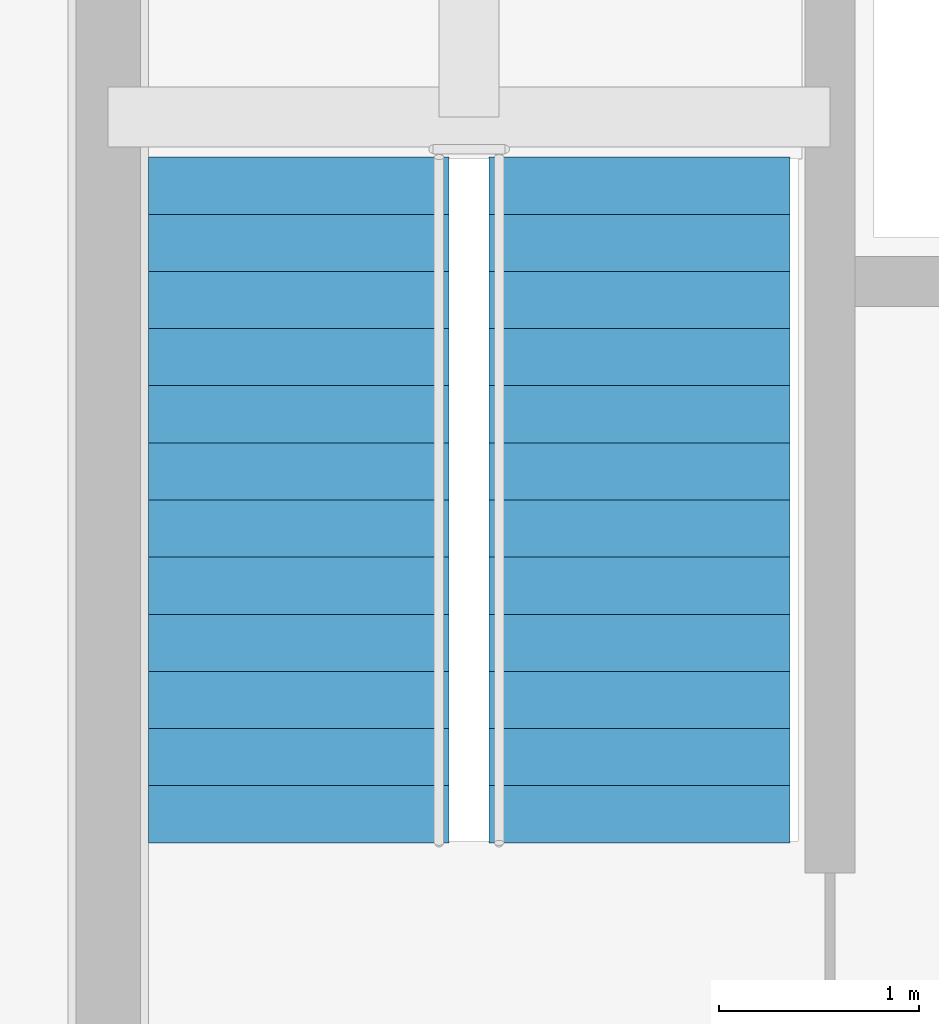
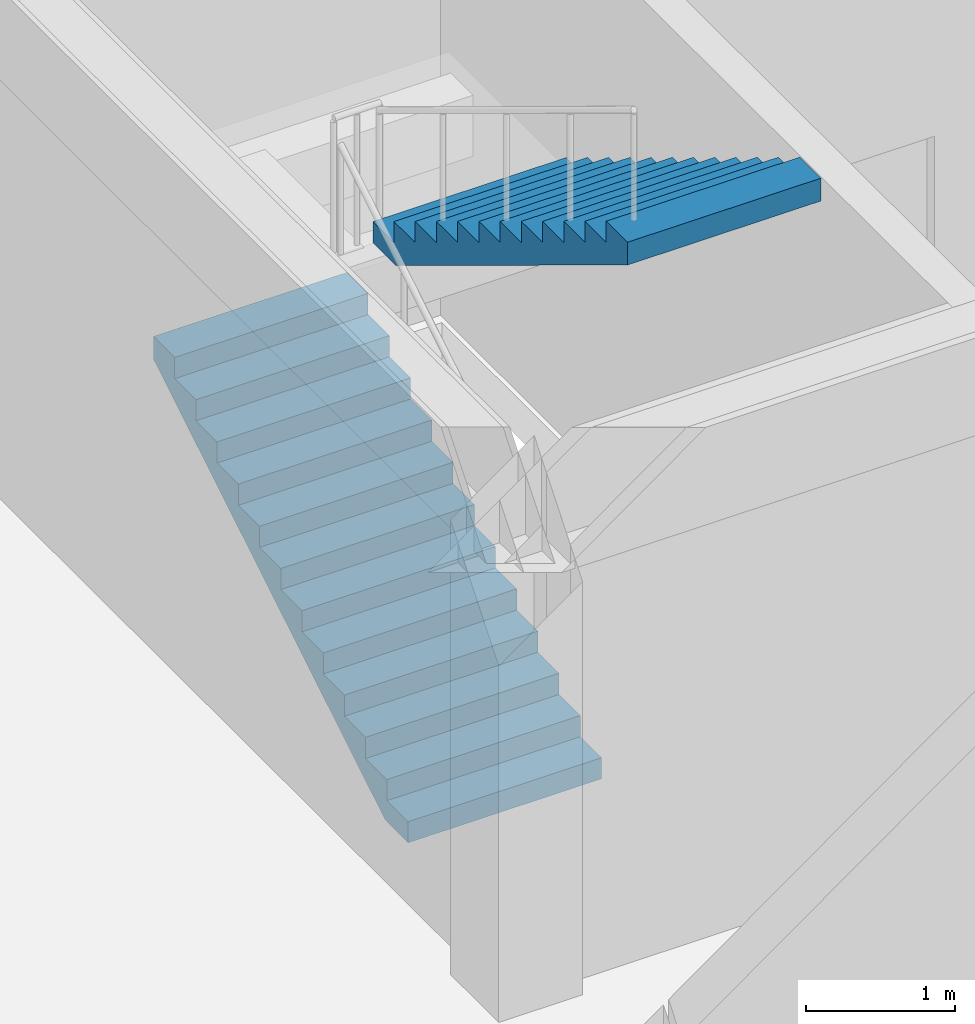
# One storey, part 123 of 138: 2 stair flights, 1 element without a shape of its own.
"""IFC4 building model written with IfcOpenShell, lengths in metres."""

from ifc_helpers import new_model, si_unit, direction, frame, origin, place, context, subcontext, project, spatial, polyline, outline, extrude, material, type_object, element, aggregate, save


model = new_model("IFC4")

# Units and contexts
model_context = context("Model", 3, precision=1e-05, world=origin(), true_north=direction((0.0, 1.0)))
body_context = subcontext(model_context, "Body", "Model", "MODEL_VIEW")
ifc_project = project(units=[si_unit("LENGTHUNIT", "METRE"), si_unit("AREAUNIT", "SQUARE_METRE"), si_unit("VOLUMEUNIT", "CUBIC_METRE"), si_unit("PLANEANGLEUNIT", "RADIAN"), si_unit("MASSUNIT", "GRAM", prefix="KILO"), si_unit("THERMODYNAMICTEMPERATUREUNIT", "KELVIN"), si_unit("POWERUNIT", "WATT")], contexts=[model_context])

# Site, building, storey
site_placement = place(None, origin())
site = spatial("IfcSite", under=ifc_project, at=site_placement, CompositionType="ELEMENT")
building_placement = place(site_placement, origin())
building = spatial("IfcBuilding", under=site, at=building_placement, Name="Tavuni Mirador Residences", CompositionType="ELEMENT")
storey_placement = place(building_placement, origin())
storey = spatial("IfcBuildingStorey", under=building, at=storey_placement, Name="L00", CompositionType="ELEMENT", Elevation=0.0)

# Stair, stair flights
ifc_material = material(Name="Precast concrete C40/50", Category="concrete")
stair_type = type_object("IfcStairType", Name="STT-L00", PredefinedType="HALF_TURN_STAIR", material=ifc_material)
stair_placement = place(storey_placement, origin())
stair = element("IfcStair", 1, at=stair_placement, inside=storey, type_object=stair_type, Name="Protected exit stair ST6 (L00)", PredefinedType="HALF_TURN_STAIR")
stair_flight_type = type_object("IfcStairFlightType", Name="SFT-1500", PredefinedType="STRAIGHT", material=ifc_material)
stair_flight_1_placement = place(storey_placement, frame((40.550048828125, 160.199951171875, 0.0), z_axis=(0.0, 0.0, 1.0), x_axis=(0.0, 1.0, 0.0)))
stair_flight_1 = element("IfcStairFlight", 2, at=stair_flight_1_placement, type_object=stair_flight_type, Name="ST6 flight 1", NumberOfRisers=13, NumberOfTreads=12, PredefinedType="STRAIGHT", RiserHeight=0.173076923, TreadLength=0.285, context=body_context, shape_type="SweptSolid", body=[
    extrude(outline(polyline([(0.0, 0.0), (0.0, 0.173095703125), (0.284912109375, 0.173095703125), (0.284912109375, 0.34619140625), (0.570068359375, 0.34619140625), (0.570068359375, 0.519287109375), (0.85498046875, 0.519287109375), (0.85498046875, 0.6923828125), (1.139892578125, 0.6923828125), (1.139892578125, 0.865478515625), (1.425048828125, 0.865478515625), (1.425048828125, 1.03857421875), (1.7099609375, 1.03857421875), (1.7099609375, 1.21142578125), (1.9951171875, 1.21142578125), (1.9951171875, 1.384521484375), (2.280029296875, 1.384521484375), (2.280029296875, 1.5576171875), (2.56494140625, 1.5576171875), (2.56494140625, 1.730712890625), (2.85009765625, 1.730712890625), (2.85009765625, 1.90380859375), (3.135009765625, 1.90380859375), (3.135009765625, 2.076904296875), (3.419921875, 2.076904296875), (3.419921875, 2.25), (3.419921875, 1.889892578125), (0.30810546875, 0.0), (0.0, 0.0)])), frame((0.0, 0.75, 0.0), z_axis=(0.0, -1.0, 0.0), x_axis=(1.0, 0.0, 0.0)), (0.0, 0.0, 1.0), 1.5),
])
stair_flight_2_placement = place(storey_placement, frame((42.25, 163.6201171875, 2.25), z_axis=(0.0, 0.0, 1.0), x_axis=(0.0, -1.0, 0.0)))
stair_flight_2 = element("IfcStairFlight", 3, at=stair_flight_2_placement, type_object=stair_flight_type, Name="ST6 flight 2", NumberOfRisers=13, NumberOfTreads=12, PredefinedType="STRAIGHT", RiserHeight=0.173076923, TreadLength=0.285, context=body_context, shape_type="SweptSolid", body=[
    extrude(outline(polyline([(0.0, 0.0), (0.0, 0.173095703125), (0.284912109375, 0.173095703125), (0.284912109375, 0.34619140625), (0.570068359375, 0.34619140625), (0.570068359375, 0.519287109375), (0.85498046875, 0.519287109375), (0.85498046875, 0.6923828125), (1.139892578125, 0.6923828125), (1.139892578125, 0.865478515625), (1.425048828125, 0.865478515625), (1.425048828125, 1.03857421875), (1.7099609375, 1.03857421875), (1.7099609375, 1.21142578125), (1.9951171875, 1.21142578125), (1.9951171875, 1.384521484375), (2.280029296875, 1.384521484375), (2.280029296875, 1.5576171875), (2.56494140625, 1.5576171875), (2.56494140625, 1.730712890625), (2.85009765625, 1.730712890625), (2.85009765625, 1.90380859375), (3.135009765625, 1.90380859375), (3.135009765625, 2.076904296875), (3.419921875, 2.076904296875), (3.419921875, 2.25), (3.419921875, 1.889892578125), (0.30810546875, 0.0), (0.0, 0.0)])), frame((0.0, 0.75, 0.0), z_axis=(0.0, -1.0, 0.0), x_axis=(1.0, 0.0, 0.0)), (0.0, 0.0, 1.0), 1.5),
])
aggregate(stair, [stair_flight_1, stair_flight_2])

save(model, "model.ifc")
